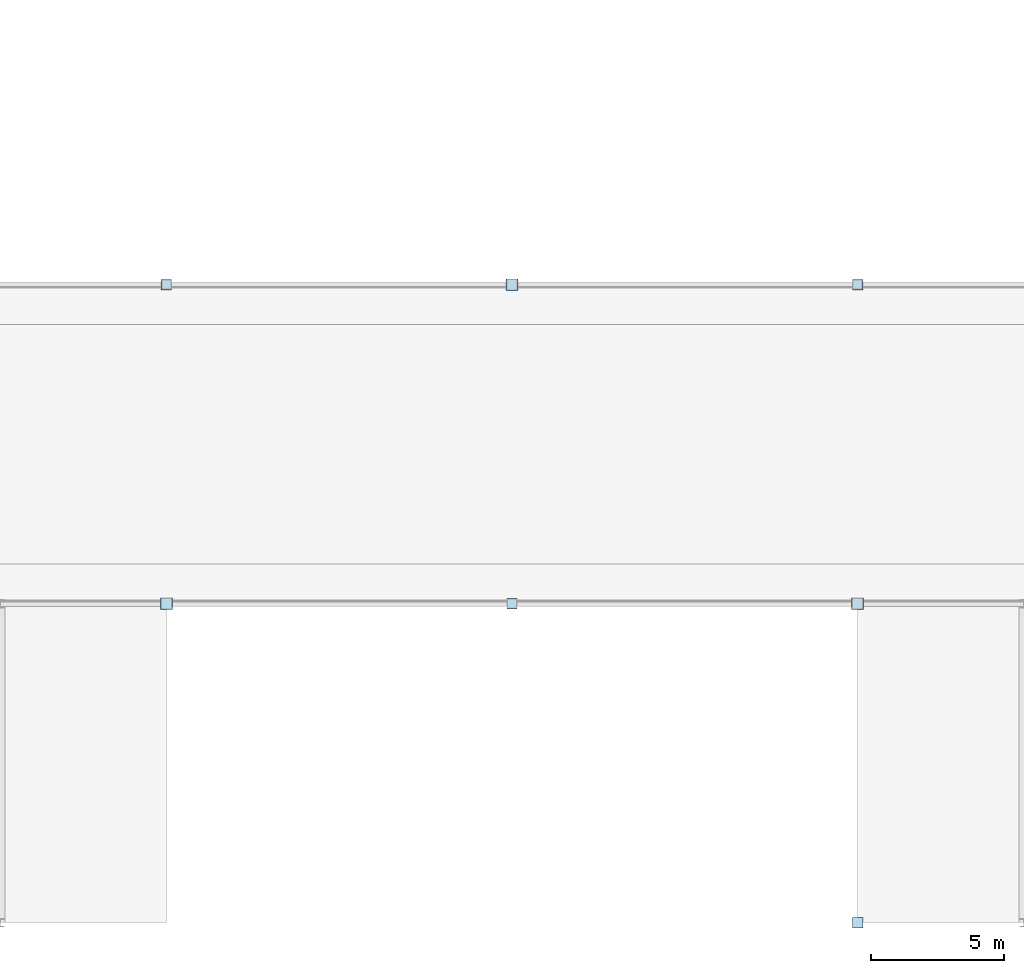
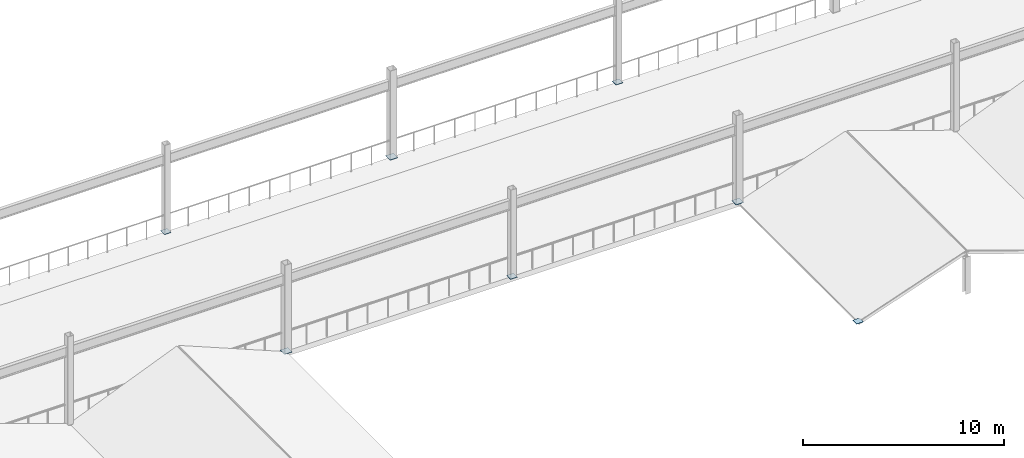
# One storey, part 63 of 105: 7 plates.
"""IFC4 building model written with IfcOpenShell, lengths in metres."""

from ifc_helpers import new_model, si_unit, direction, frame, origin, origin_2d, place, context, subcontext, project, spatial, rectangle, extrude, material, layer, layer_set, type_object, element, save


model = new_model("IFC4")

# Units and contexts
model_context = context("Model", 3, precision=1e-05, world=origin(), true_north=direction((0.0, 1.0)))
body_context = subcontext(model_context, "Body", "Model", "MODEL_VIEW")
ifc_project = project(units=[si_unit("LENGTHUNIT", "METRE"), si_unit("AREAUNIT", "SQUARE_METRE"), si_unit("VOLUMEUNIT", "CUBIC_METRE"), si_unit("PLANEANGLEUNIT", "RADIAN"), si_unit("MASSUNIT", "GRAM", prefix="KILO")], contexts=[model_context])

# Site, building, storey
site_placement = place(None, origin())
site = spatial("IfcSite", under=ifc_project, at=site_placement, CompositionType="ELEMENT")
building_placement = place(site_placement, origin())
building = spatial("IfcBuilding", under=site, at=building_placement, Name="Kazenohara Klinker Stadium", CompositionType="ELEMENT")
storey_placement = place(building_placement, frame((0.0, 0.0, 20.39990234375)))
storey = spatial("IfcBuildingStorey", under=building, at=storey_placement, Name="L04", CompositionType="ELEMENT", Elevation=20.39990234375)

# Plates
ifc_material = material(Name="Steel S355", Category="steel")
ifc_layer_1 = layer(ifc_material, 0.02001953125)
ifc_layer_set_1 = layer_set([ifc_layer_1], Name="Steel S355")
plate_type_1 = type_object("IfcPlateType", Name="PLT-GP01", PredefinedType="USERDEFINED", material=ifc_layer_set_1)
plate_1_placement = place(storey_placement, frame((99.0, 24.0, -0.010009765625), z_axis=(0.0, 0.0, 1.0), x_axis=(1.0, 0.0, 0.0)))
element("IfcPlate", 1, at=plate_1_placement, inside=storey, type_object=plate_type_1, Name="Hollow column end-cap plate GP01 L04 9/C", ObjectType="GUSSET PLATE", PredefinedType="USERDEFINED", context=body_context, shape_type="SweptSolid", body=[
    extrude(rectangle(XDim=0.43994140625, YDim=0.43994140625, at=origin_2d()), origin(), (0.0, 0.0, 1.0), 0.02001953125),
])
for number, where, z_axis, x_axis, name in (
    (2, (99.0, 36.0, -0.010009765625), (0.0, 0.0, 1.0), (1.0, 0.0, 0.0), "Hollow column end-cap plate GP01 L04 9/D"),
    (3, (112.0, 24.0, -0.010009765625), (0.0, 0.0, 1.0), (1.0, 0.0, 0.0), "Hollow column end-cap plate GP01 L04 10/C"),
):
    element("IfcPlate", number, at=place(storey_placement, frame(where, z_axis=z_axis, x_axis=x_axis)), inside=storey, type_object=plate_type_1, Name=name, ObjectType="GUSSET PLATE", PredefinedType="USERDEFINED", context=body_context, shape_type="SweptSolid", body=[
        extrude(rectangle(XDim=0.389892578125, YDim=0.389892578125, at=origin_2d()), origin(), (0.0, 0.0, 1.0), 0.02001953125),
    ])
ifc_layer_2 = layer(ifc_material, 0.02197265625)
ifc_layer_set_2 = layer_set([ifc_layer_2], Name="Steel S355")
plate_type_2 = type_object("IfcPlateType", Name="PLT-GP02", PredefinedType="USERDEFINED", material=ifc_layer_set_2)
for number, where, z_axis, x_axis, name in (
    (4, (125.0, 12.0, -0.010986328125), (0.0, 0.0, 1.0), (1.0, 0.0, 0.0), "Hollow column end-cap plate GP02 L04 11/B"),
    (5, (125.0, 36.0, -0.010986328125), (0.0, 0.0, 1.0), (1.0, 0.0, 0.0), "Hollow column end-cap plate GP02 L04 11/D"),
):
    element("IfcPlate", number, at=place(storey_placement, frame(where, z_axis=z_axis, x_axis=x_axis)), inside=storey, type_object=plate_type_2, Name=name, ObjectType="GUSSET PLATE", PredefinedType="USERDEFINED", context=body_context, shape_type="SweptSolid", body=[
        extrude(rectangle(XDim=0.389892578125, YDim=0.389892578125, at=origin_2d()), origin(), (0.0, 0.0, 1.0), 0.02197265625),
    ])
ifc_layer_3 = layer(ifc_material, 0.02392578125)
ifc_layer_set_3 = layer_set([ifc_layer_3], Name="Steel S355")
plate_type_3 = type_object("IfcPlateType", Name="PLT-GP03", PredefinedType="USERDEFINED", material=ifc_layer_set_3)
plate_2_placement = place(storey_placement, frame((125.0, 24.0, -0.011962890625), z_axis=(0.0, 0.0, 1.0), x_axis=(1.0, 0.0, 0.0)))
element("IfcPlate", 6, at=plate_2_placement, inside=storey, type_object=plate_type_3, Name="Hollow column end-cap plate GP03 L04 11/C", ObjectType="GUSSET PLATE", PredefinedType="USERDEFINED", context=body_context, shape_type="SweptSolid", body=[
    extrude(rectangle(XDim=0.43994140625, YDim=0.43994140625, at=origin_2d()), origin(), (0.0, 0.0, 1.0), 0.02392578125),
])
ifc_layer_4 = layer(ifc_material, 0.02490234375)
ifc_layer_set_4 = layer_set([ifc_layer_4], Name="Steel S355")
plate_type_4 = type_object("IfcPlateType", Name="PLT-GP04", PredefinedType="USERDEFINED", material=ifc_layer_set_4)
plate_3_placement = place(storey_placement, frame((112.0, 36.0, -0.012451171875), z_axis=(0.0, 0.0, 1.0), x_axis=(1.0, 0.0, 0.0)))
element("IfcPlate", 7, at=plate_3_placement, inside=storey, type_object=plate_type_4, Name="Hollow column end-cap plate GP04 L04 10/D", ObjectType="GUSSET PLATE", PredefinedType="USERDEFINED", context=body_context, shape_type="SweptSolid", body=[
    extrude(rectangle(XDim=0.43994140625, YDim=0.43994140625, at=origin_2d()), origin(), (0.0, 0.0, 1.0), 0.02490234375),
])

save(model, "model.ifc")
